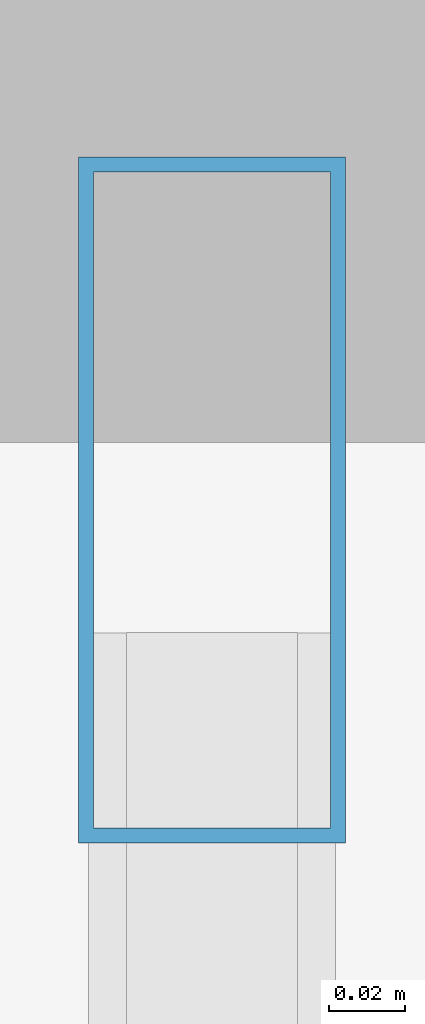
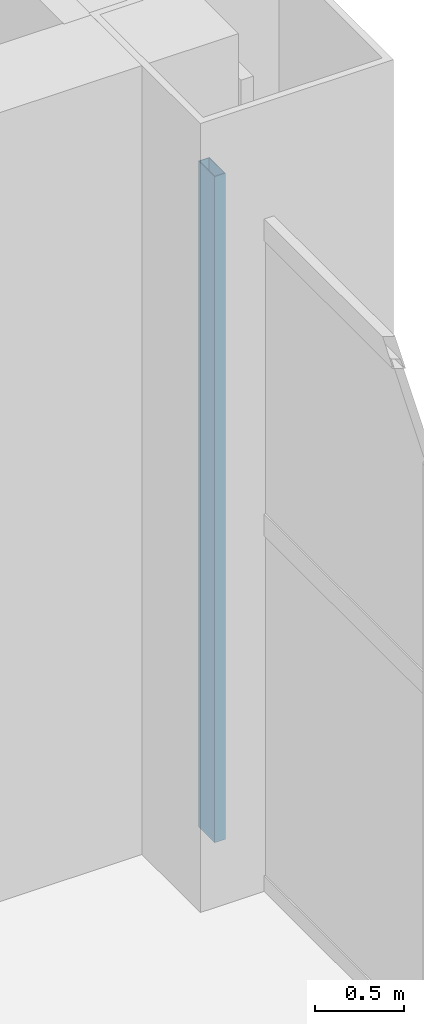
# One storey, part 19 of 26: 1 member, 1 element without a shape of its own.
"""IFC4 building model written with IfcOpenShell, lengths in metres."""

from ifc_helpers import new_model, si_unit, direction, frame, origin, origin_2d, place, context, subcontext, project, spatial, hollow_rectangle, extrude, material, layer, layer_set, material_profile, profile_set, type_object, element, aggregate, save


model = new_model("IFC4")

# Units and contexts
model_context = context("Model", 3, precision=1e-05, world=origin(), true_north=direction((0.0, 1.0)))
body_context = subcontext(model_context, "Body", "Model", "MODEL_VIEW")
ifc_project = project(units=[si_unit("LENGTHUNIT", "METRE"), si_unit("AREAUNIT", "SQUARE_METRE"), si_unit("VOLUMEUNIT", "CUBIC_METRE"), si_unit("PLANEANGLEUNIT", "RADIAN"), si_unit("MASSUNIT", "GRAM", prefix="KILO")], contexts=[model_context])

# Site, building, storey
site_placement = place(None, origin())
site = spatial("IfcSite", under=ifc_project, at=site_placement, CompositionType="ELEMENT")
building_placement = place(site_placement, origin())
building = spatial("IfcBuilding", under=site, at=building_placement, Name="Qianrong Seaharbour Tower", CompositionType="ELEMENT")
storey_placement = place(building_placement, frame((0.0, 0.0, 108.199951171875)))
storey = spatial("IfcBuildingStorey", under=building, at=storey_placement, Name="L26", CompositionType="ELEMENT", Elevation=108.199951171875)

# Curtain wall, member
ifc_material_1 = material(Name="Anodised aluminium 6063-T6 and laminated low-e glass", Category="aluminium")
ifc_layer = layer(ifc_material_1, 0.18505859375)
ifc_layer_set = layer_set([ifc_layer], Name="Anodised aluminium 6063-T6 and laminated low-e glass")
curtain_wall_type = type_object("IfcCurtainWallType", Name="CW-SYS-4", PredefinedType="NOTDEFINED", material=ifc_layer_set)
curtain_wall_placement = place(storey_placement, origin())
curtain_wall = element("IfcCurtainWall", 1, at=curtain_wall_placement, inside=storey, type_object=curtain_wall_type, Name="L26 Refuge Acoustic Louvre Curtain Wall EAST_WING", PredefinedType="NOTDEFINED")
ifc_material_2 = material(Name="Extruded aluminium 6063-T6", Category="aluminium")
ifc_material_profile = material_profile(ifc_material_2, hollow_rectangle(XDim=0.070068359375, YDim=0.179931640625, WallThickness=0.00390625, at=origin_2d()), Name="ALU-MUL-180x70x4")
ifc_profile_set = profile_set([ifc_material_profile], Name="Extruded aluminium 6063-T6")
member_type = type_object("IfcMemberType", Name="CW-MUL-180", PredefinedType="MULLION", material=ifc_profile_set)
member_placement = place(storey_placement, frame((63.820068359375, 36.014892578125, 0.0), z_axis=(0.0, 0.0, 1.0), x_axis=(1.0, 0.0, 0.0)))
member = element("IfcMember", 2, at=member_placement, type_object=member_type, Name="CW-4 mullion 1", PredefinedType="MULLION", context=body_context, shape_type="SweptSolid", body=[
    extrude(hollow_rectangle(XDim=0.070068359375, YDim=0.179931640625, WallThickness=0.00390625, at=origin_2d()), origin(), (0.0, 0.0, 1.0), 4.56005859375),
])
aggregate(curtain_wall, [member])

save(model, "model.ifc")
